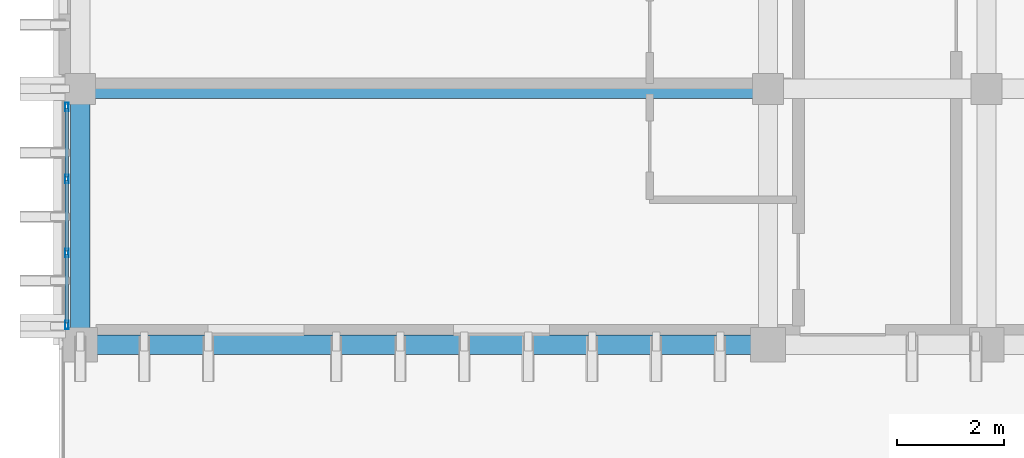
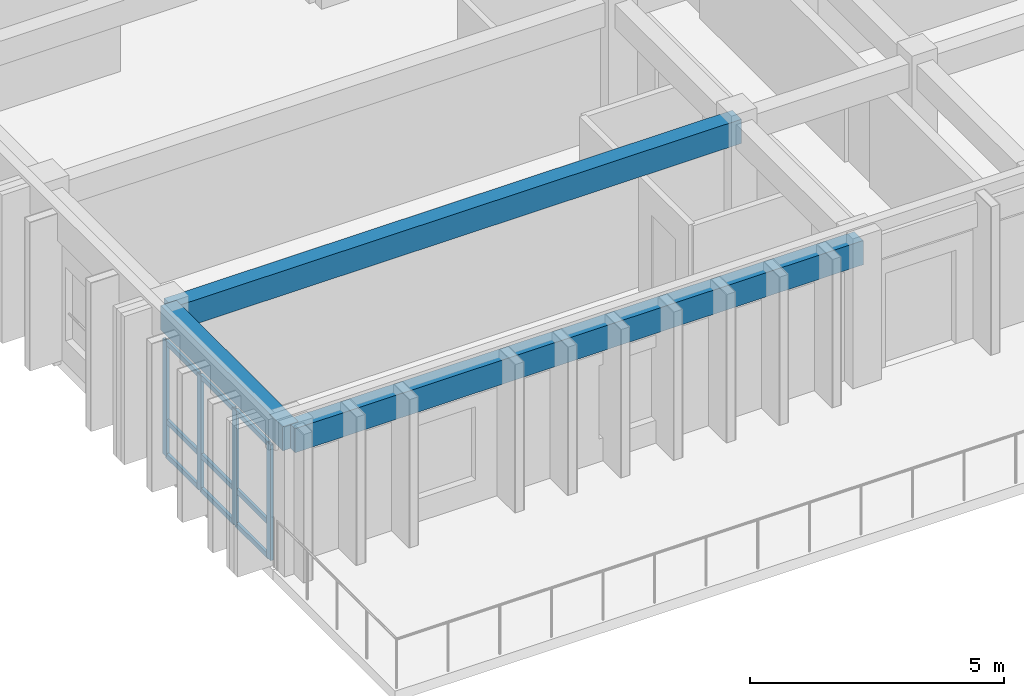
# One storey, part 2 of 49: 13 members, 3 beams, 1 element without a shape of its own.
"""IFC4 building model written with IfcOpenShell, lengths in metres."""

from ifc_helpers import new_model, si_unit, direction, frame, origin, origin_2d, place, context, subcontext, project, spatial, rectangle, hollow_rectangle, extrude, material, layer, layer_set, material_profile, profile_set, type_object, element, aggregate, save


model = new_model("IFC4")

# Units and contexts
model_context = context("Model", 3, precision=1e-05, world=origin(), true_north=direction((0.0, 1.0)))
body_context = subcontext(model_context, "Body", "Model", "MODEL_VIEW")
ifc_project = project(units=[si_unit("LENGTHUNIT", "METRE"), si_unit("AREAUNIT", "SQUARE_METRE"), si_unit("VOLUMEUNIT", "CUBIC_METRE"), si_unit("PLANEANGLEUNIT", "RADIAN"), si_unit("MASSUNIT", "GRAM", prefix="KILO")], contexts=[model_context])

# Site, building, storey
site_placement = place(None, origin())
site = spatial("IfcSite", under=ifc_project, at=site_placement, CompositionType="ELEMENT")
building_placement = place(site_placement, origin())
building = spatial("IfcBuilding", under=site, at=building_placement, Name="Nakhvara Creek Congress Hotel", CompositionType="ELEMENT")
storey_placement = place(building_placement, frame((0.0, 0.0, 39.0)))
storey = spatial("IfcBuildingStorey", under=building, at=storey_placement, Name="L09", CompositionType="ELEMENT", Elevation=39.0)

# Beams
ifc_material_1 = material(Name="Concrete C40/50", Category="concrete")
ifc_material_profile_1 = material_profile(ifc_material_1, rectangle(XDim=0.360107421875, YDim=0.580078125, at=origin_2d()), Name="RC-BM 360x580", Category="LoadBearing")
ifc_profile_set_1 = profile_set([ifc_material_profile_1], Name="Concrete C40/50")
beam_type = type_object("IfcBeamType", Name="BM-RC-360X580", PredefinedType="BEAM", material=ifc_profile_set_1)
beam_1_placement = place(storey_placement, frame((149.449951171875, 57.60009765625, 3.070068359375), z_axis=(1.0, 0.0, 0.0), x_axis=(0.0, 1.0, 0.0)))
element("IfcBeam", 1, at=beam_1_placement, inside=storey, type_object=beam_type, Name="Beam B09-L09-2533", PredefinedType="BEAM", context=body_context, shape_type="SweptSolid", body=[
    extrude(rectangle(XDim=0.360107421875, YDim=0.580078125, at=origin_2d()), origin(), (0.0, 0.0, 1.0), 12.900146484375),
])
beam_2_placement = place(storey_placement, frame((149.449951171875, 57.60009765625, 3.070068359375), z_axis=(0.0, 1.0, 0.0), x_axis=(-1.0, 0.0, 0.0)))
element("IfcBeam", 2, at=beam_2_placement, inside=storey, type_object=beam_type, Name="Beam B09-L09-2534", PredefinedType="BEAM", context=body_context, shape_type="SweptSolid", body=[
    extrude(rectangle(XDim=0.360107421875, YDim=0.580078125, at=origin_2d()), origin(), (0.0, 0.0, 1.0), 4.7998046875),
])
beam_3_placement = place(storey_placement, frame((149.449951171875, 62.39990234375, 3.070068359375), z_axis=(1.0, 0.0, 0.0), x_axis=(0.0, 1.0, 0.0)))
element("IfcBeam", 3, at=beam_3_placement, inside=storey, type_object=beam_type, Name="Beam B09-L09-2611", PredefinedType="BEAM", context=body_context, shape_type="SweptSolid", body=[
    extrude(rectangle(XDim=0.360107421875, YDim=0.580078125, at=origin_2d()), origin(), (0.0, 0.0, 1.0), 12.900146484375),
])

# Curtain wall, members
ifc_material_2 = material(Name="Bronze-anodised aluminium AW-6063-T6 and double-silver low-E glass", Category="aluminium")
ifc_layer = layer(ifc_material_2, 0.199951171875)
ifc_layer_set = layer_set([ifc_layer], Name="Bronze-anodised aluminium AW-6063-T6 and double-silver low-E glass")
curtain_wall_type = type_object("IfcCurtainWallType", Name="CW-HTL-UNIT", PredefinedType="USERDEFINED", material=ifc_layer_set)
curtain_wall_placement = place(storey_placement, origin())
curtain_wall = element("IfcCurtainWall", 4, at=curtain_wall_placement, inside=storey, type_object=curtain_wall_type, Name="Curtain Wall CW296", ObjectType="UNITISED", PredefinedType="USERDEFINED")
ifc_material_3 = material(Name="Bronze-anodised aluminium AW-6063-T6", Category="aluminium")
ifc_material_profile_2 = material_profile(ifc_material_3, hollow_rectangle(XDim=0.06494140625, YDim=0.159912109375, WallThickness=0.00390625, at=origin_2d()), Name="ALU-MULL 65x160x4", Category="LoadBearing")
ifc_profile_set_2 = profile_set([ifc_material_profile_2], Name="Bronze-anodised aluminium AW-6063-T6")
member_type_1 = type_object("IfcMemberType", Name="CW-MULL-160", PredefinedType="MULLION", material=ifc_profile_set_2)
member_1_placement = place(storey_placement, frame((149.199951171875, 57.972412109375, 0.0), z_axis=(0.0, 0.0, 1.0), x_axis=(-1.0, 0.0, 0.0)))
member_1 = element("IfcMember", 5, at=member_1_placement, type_object=member_type_1, Name="CW296 mullion 1", PredefinedType="MULLION", context=body_context, shape_type="SweptSolid", body=[
    extrude(hollow_rectangle(XDim=0.06494140625, YDim=0.159912109375, WallThickness=0.00390625, at=origin_2d()), origin(), (0.0, 0.0, 1.0), 2.77197265625),
])
member_2_placement = place(storey_placement, frame((149.199951171875, 59.324951171875, 0.0), z_axis=(0.0, 0.0, 1.0), x_axis=(-1.0, 0.0, 0.0)))
member_2 = element("IfcMember", 6, at=member_2_placement, type_object=member_type_1, Name="CW296 mullion 2", PredefinedType="MULLION", context=body_context, shape_type="SweptSolid", body=[
    extrude(hollow_rectangle(XDim=0.06494140625, YDim=0.159912109375, WallThickness=0.00390625, at=origin_2d()), origin(), (0.0, 0.0, 1.0), 2.77197265625),
])
member_3_placement = place(storey_placement, frame((149.199951171875, 60.7099609375, 0.0), z_axis=(0.0, 0.0, 1.0), x_axis=(-1.0, 0.0, 0.0)))
member_3 = element("IfcMember", 7, at=member_3_placement, type_object=member_type_1, Name="CW296 mullion 3", PredefinedType="MULLION", context=body_context, shape_type="SweptSolid", body=[
    extrude(hollow_rectangle(XDim=0.06494140625, YDim=0.159912109375, WallThickness=0.00390625, at=origin_2d()), origin(), (0.0, 0.0, 1.0), 2.77197265625),
])
member_4_placement = place(storey_placement, frame((149.199951171875, 62.0625, 0.0), z_axis=(0.0, 0.0, 1.0), x_axis=(-1.0, 0.0, 0.0)))
member_4 = element("IfcMember", 8, at=member_4_placement, type_object=member_type_1, Name="CW296 mullion 4", PredefinedType="MULLION", context=body_context, shape_type="SweptSolid", body=[
    extrude(hollow_rectangle(XDim=0.06494140625, YDim=0.159912109375, WallThickness=0.00390625, at=origin_2d()), origin(), (0.0, 0.0, 1.0), 2.77197265625),
])
ifc_material_profile_3 = material_profile(ifc_material_3, hollow_rectangle(XDim=0.06494140625, YDim=0.1201171875, WallThickness=0.00390625, at=origin_2d()), Name="ALU-TRAN 65x120x4", Category="LoadBearing")
ifc_profile_set_3 = profile_set([ifc_material_profile_3], Name="Bronze-anodised aluminium AW-6063-T6")
member_type_2 = type_object("IfcMemberType", Name="CW-TRAN-120", PredefinedType="USERDEFINED", material=ifc_profile_set_3)
member_5_placement = place(storey_placement, frame((149.199951171875, 58.0048828125, 0.032470703125), z_axis=(0.0, 1.0, 0.0), x_axis=(-1.0, 0.0, 0.0)))
member_5 = element("IfcMember", 9, at=member_5_placement, type_object=member_type_2, Name="CW296 transom 1.1", ObjectType="TRANSOM", PredefinedType="USERDEFINED", context=body_context, shape_type="SweptSolid", body=[
    extrude(hollow_rectangle(XDim=0.06494140625, YDim=0.1201171875, WallThickness=0.00390625, at=origin_2d()), origin(), (0.0, 0.0, 1.0), 1.28759765625),
])
member_6_placement = place(storey_placement, frame((149.199951171875, 58.0048828125, 0.85009765625), z_axis=(0.0, 1.0, 0.0), x_axis=(-1.0, 0.0, 0.0)))
member_6 = element("IfcMember", 10, at=member_6_placement, type_object=member_type_2, Name="CW296 transom 1.2", ObjectType="TRANSOM", PredefinedType="USERDEFINED", context=body_context, shape_type="SweptSolid", body=[
    extrude(hollow_rectangle(XDim=0.06494140625, YDim=0.1201171875, WallThickness=0.00390625, at=origin_2d()), origin(), (0.0, 0.0, 1.0), 1.28759765625),
])
member_7_placement = place(storey_placement, frame((149.199951171875, 58.0048828125, 2.739501953125), z_axis=(0.0, 1.0, 0.0), x_axis=(-1.0, 0.0, 0.0)))
member_7 = element("IfcMember", 11, at=member_7_placement, type_object=member_type_2, Name="CW296 transom 1.3", ObjectType="TRANSOM", PredefinedType="USERDEFINED", context=body_context, shape_type="SweptSolid", body=[
    extrude(hollow_rectangle(XDim=0.06494140625, YDim=0.1201171875, WallThickness=0.00390625, at=origin_2d()), origin(), (0.0, 0.0, 1.0), 1.28759765625),
])
member_8_placement = place(storey_placement, frame((149.199951171875, 59.357421875, 0.032470703125), z_axis=(0.0, 1.0, 0.0), x_axis=(-1.0, 0.0, 0.0)))
member_8 = element("IfcMember", 12, at=member_8_placement, type_object=member_type_2, Name="CW296 transom 2.1", ObjectType="TRANSOM", PredefinedType="USERDEFINED", context=body_context, shape_type="SweptSolid", body=[
    extrude(hollow_rectangle(XDim=0.06494140625, YDim=0.1201171875, WallThickness=0.00390625, at=origin_2d()), origin(), (0.0, 0.0, 1.0), 1.320068359375),
])
member_9_placement = place(storey_placement, frame((149.199951171875, 59.357421875, 0.85009765625), z_axis=(0.0, 1.0, 0.0), x_axis=(-1.0, 0.0, 0.0)))
member_9 = element("IfcMember", 13, at=member_9_placement, type_object=member_type_2, Name="CW296 transom 2.2", ObjectType="TRANSOM", PredefinedType="USERDEFINED", context=body_context, shape_type="SweptSolid", body=[
    extrude(hollow_rectangle(XDim=0.06494140625, YDim=0.1201171875, WallThickness=0.00390625, at=origin_2d()), origin(), (0.0, 0.0, 1.0), 1.320068359375),
])
member_10_placement = place(storey_placement, frame((149.199951171875, 59.357421875, 2.739501953125), z_axis=(0.0, 1.0, 0.0), x_axis=(-1.0, 0.0, 0.0)))
member_10 = element("IfcMember", 14, at=member_10_placement, type_object=member_type_2, Name="CW296 transom 2.3", ObjectType="TRANSOM", PredefinedType="USERDEFINED", context=body_context, shape_type="SweptSolid", body=[
    extrude(hollow_rectangle(XDim=0.06494140625, YDim=0.1201171875, WallThickness=0.00390625, at=origin_2d()), origin(), (0.0, 0.0, 1.0), 1.320068359375),
])
member_11_placement = place(storey_placement, frame((149.199951171875, 60.742431640625, 0.032470703125), z_axis=(0.0, 1.0, 0.0), x_axis=(-1.0, 0.0, 0.0)))
member_11 = element("IfcMember", 15, at=member_11_placement, type_object=member_type_2, Name="CW296 transom 3.1", ObjectType="TRANSOM", PredefinedType="USERDEFINED", context=body_context, shape_type="SweptSolid", body=[
    extrude(hollow_rectangle(XDim=0.06494140625, YDim=0.1201171875, WallThickness=0.00390625, at=origin_2d()), origin(), (0.0, 0.0, 1.0), 1.28759765625),
])
member_12_placement = place(storey_placement, frame((149.199951171875, 60.742431640625, 0.85009765625), z_axis=(0.0, 1.0, 0.0), x_axis=(-1.0, 0.0, 0.0)))
member_12 = element("IfcMember", 16, at=member_12_placement, type_object=member_type_2, Name="CW296 transom 3.2", ObjectType="TRANSOM", PredefinedType="USERDEFINED", context=body_context, shape_type="SweptSolid", body=[
    extrude(hollow_rectangle(XDim=0.06494140625, YDim=0.1201171875, WallThickness=0.00390625, at=origin_2d()), origin(), (0.0, 0.0, 1.0), 1.28759765625),
])
member_13_placement = place(storey_placement, frame((149.199951171875, 60.742431640625, 2.739501953125), z_axis=(0.0, 1.0, 0.0), x_axis=(-1.0, 0.0, 0.0)))
member_13 = element("IfcMember", 17, at=member_13_placement, type_object=member_type_2, Name="CW296 transom 3.3", ObjectType="TRANSOM", PredefinedType="USERDEFINED", context=body_context, shape_type="SweptSolid", body=[
    extrude(hollow_rectangle(XDim=0.06494140625, YDim=0.1201171875, WallThickness=0.00390625, at=origin_2d()), origin(), (0.0, 0.0, 1.0), 1.28759765625),
])
aggregate(curtain_wall, [member_1, member_2, member_3, member_4, member_5, member_6, member_7, member_8, member_9, member_10, member_11, member_12, member_13])

save(model, "model.ifc")
